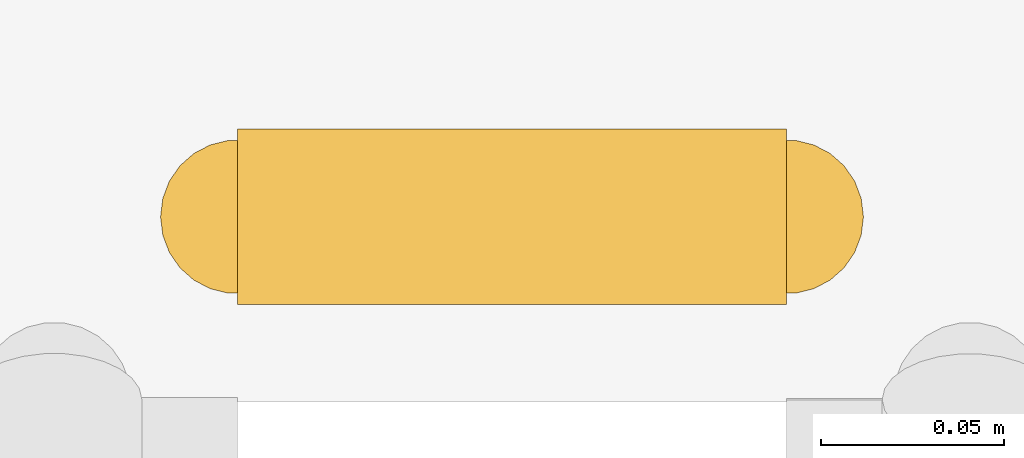
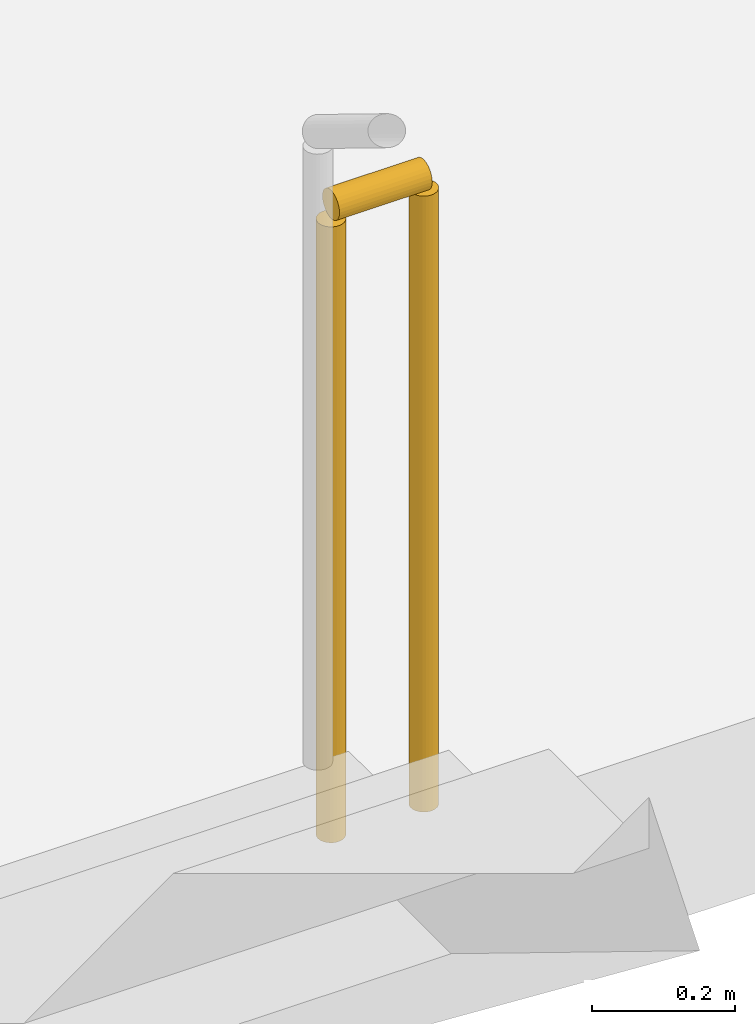
# One storey, part 35 of 35: 1 railing.
"""IFC4 building model written with IfcOpenShell, lengths in metres."""

from ifc_helpers import new_model, si_unit, direction, frame, origin, origin_2d, place, context, subcontext, project, spatial, circle, extrude, material, type_object, element, save


model = new_model("IFC4")

# Units and contexts
model_context = context("Model", 3, precision=1e-05, world=origin(), true_north=direction((0.0, 1.0)))
body_context = subcontext(model_context, "Body", "Model", "MODEL_VIEW")
ifc_project = project(units=[si_unit("LENGTHUNIT", "METRE"), si_unit("AREAUNIT", "SQUARE_METRE"), si_unit("VOLUMEUNIT", "CUBIC_METRE"), si_unit("PLANEANGLEUNIT", "RADIAN"), si_unit("MASSUNIT", "GRAM", prefix="KILO")], contexts=[model_context])

# Site, building, storey
site_placement = place(None, origin())
site = spatial("IfcSite", under=ifc_project, at=site_placement, CompositionType="ELEMENT")
building_placement = place(site_placement, origin())
building = spatial("IfcBuilding", under=site, at=building_placement, Name="Tamorin Gate", CompositionType="ELEMENT")
storey_placement = place(building_placement, frame((0.0, 0.0, 8.0)))
storey = spatial("IfcBuildingStorey", under=building, at=storey_placement, Name="L01", CompositionType="ELEMENT", Elevation=8.0)

# Railing
ifc_material = material(Name="Steel, galvanised", Category="steel")
railing_type = type_object("IfcRailingType", Name="Steel guard 1100 museum", PredefinedType="GUARDRAIL", material=ifc_material)
railing_placement = place(storey_placement, frame((206.550048828125, 95.64990234375, 0.0)))
element("IfcRailing", 1, at=railing_placement, inside=storey, type_object=railing_type, Name="L01 PS9 stair guard 4", PredefinedType="GUARDRAIL", context=body_context, shape_type="SweptSolid", body=[
    extrude(circle(Radius=0.02392578125, at=origin_2d()), frame((0.0, 0.0, 1.076171875), z_axis=(1.0, 0.0, 0.0), x_axis=(0.0, 1.0, 0.0)), (0.0, 0.0, 1.0), 0.14990234375),
    extrude(circle(Radius=0.02099609375, at=origin_2d()), origin(), (0.0, 0.0, 1.0), 1.052001953125),
    extrude(circle(Radius=0.02099609375, at=origin_2d()), frame((0.14990234375, 0.0, 0.0)), (0.0, 0.0, 1.0), 1.052001953125),
])

save(model, "model.ifc")
